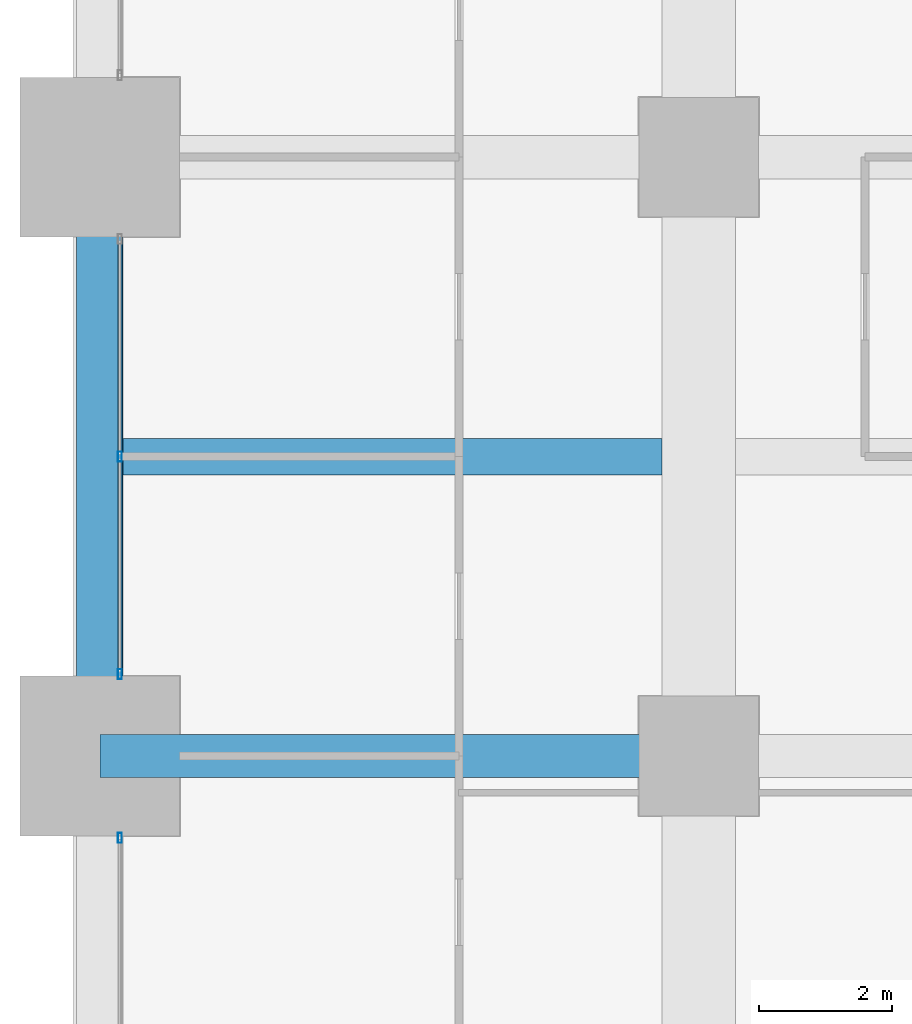
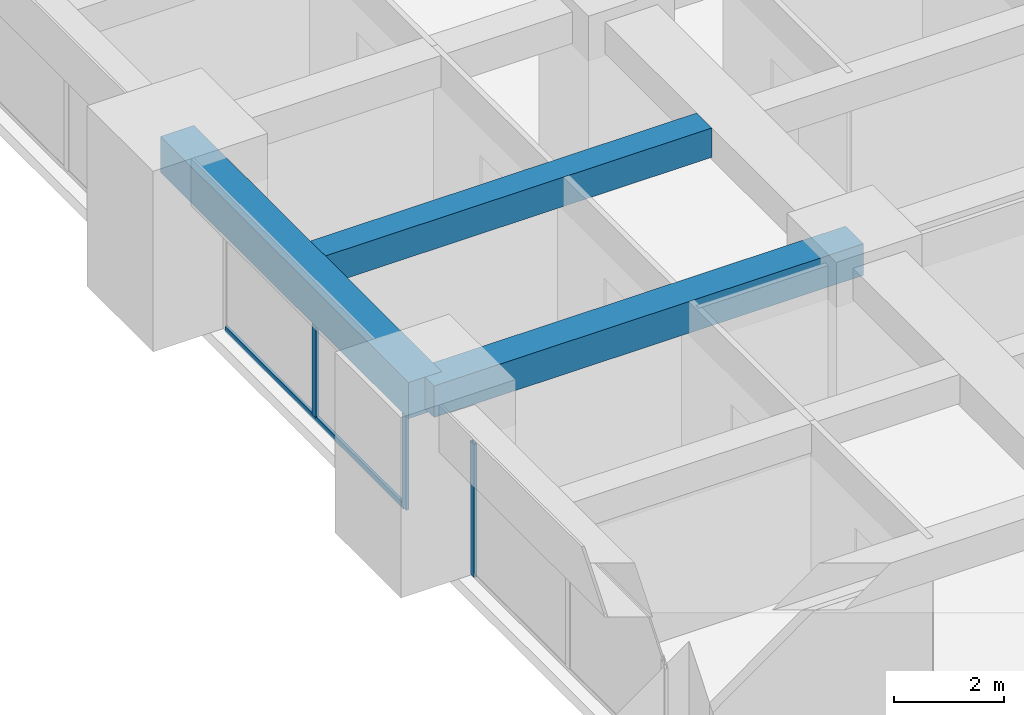
# One storey, part 9 of 41: 4 members, 3 beams, 2 elements without a shape of their own.
"""IFC4 building model written with IfcOpenShell, lengths in metres."""

from ifc_helpers import new_model, si_unit, direction, frame, origin, origin_2d, place, context, subcontext, project, spatial, rectangle, hollow_rectangle, extrude, material, material_profile, profile_set, type_object, element, aggregate, save


model = new_model("IFC4")

# Units and contexts
model_context = context("Model", 3, precision=1e-05, world=origin(), true_north=direction((0.0, 1.0)))
body_context = subcontext(model_context, "Body", "Model", "MODEL_VIEW")
ifc_project = project(units=[si_unit("LENGTHUNIT", "METRE"), si_unit("AREAUNIT", "SQUARE_METRE"), si_unit("VOLUMEUNIT", "CUBIC_METRE"), si_unit("PLANEANGLEUNIT", "RADIAN"), si_unit("MASSUNIT", "GRAM", prefix="KILO")], contexts=[model_context])

# Site, building, storey
site_placement = place(None, origin())
site = spatial("IfcSite", under=ifc_project, at=site_placement, CompositionType="ELEMENT")
building_placement = place(site_placement, origin())
building = spatial("IfcBuilding", under=site, at=building_placement, Name="Zorevar Civic Tower", CompositionType="ELEMENT")
storey_placement = place(building_placement, frame((0.0, 0.0, 137.0)))
storey = spatial("IfcBuildingStorey", under=building, at=storey_placement, Name="L33", CompositionType="ELEMENT", Elevation=137.0)

# Beams
ifc_material_1 = material(Name="Concrete C50/60", Category="concrete")
ifc_material_profile_1 = material_profile(ifc_material_1, rectangle(XDim=0.550048828125, YDim=0.64990234375, at=origin_2d()), Name="RC 550x650")
ifc_profile_set_1 = profile_set([ifc_material_profile_1], Name="Concrete C50/60")
beam_type_1 = type_object("IfcBeamType", Name="Beam RC 550x650", PredefinedType="BEAM", material=ifc_profile_set_1)
beam_1_placement = place(storey_placement, frame((0.35009765625, 22.5, 3.425048828125), z_axis=(1.0, 0.0, 0.0), x_axis=(0.0, 1.0, 0.0)))
element("IfcBeam", 1, at=beam_1_placement, inside=storey, type_object=beam_type_1, Name="Secondary beam L34", PredefinedType="BEAM", context=body_context, shape_type="SweptSolid", body=[
    extrude(rectangle(XDim=0.550048828125, YDim=0.64990234375, at=origin_2d()), origin(), (0.0, 0.0, 1.0), 8.099853515625),
])
ifc_material_2 = material(Name="Concrete C50/60", Category="concrete")
ifc_material_profile_2 = material_profile(ifc_material_2, rectangle(XDim=0.64990234375, YDim=0.699951171875, at=origin_2d()), Name="RC 650x700")
ifc_profile_set_2 = profile_set([ifc_material_profile_2], Name="Concrete C50/60")
beam_type_2 = type_object("IfcBeamType", Name="Beam RC 650x700", PredefinedType="BEAM", material=ifc_profile_set_2)
beam_2_placement = place(storey_placement, frame((0.0, 18.0, 3.39990234375), z_axis=(1.0, 0.0, 0.0), x_axis=(0.0, 1.0, 0.0)))
element("IfcBeam", 2, at=beam_2_placement, inside=storey, type_object=beam_type_2, Name="Girder L34", PredefinedType="BEAM", context=body_context, shape_type="SweptSolid", body=[
    extrude(rectangle(XDim=0.64990234375, YDim=0.699951171875, at=origin_2d()), origin(), (0.0, 0.0, 1.0), 9.0),
])

# Curtain wall, member
ifc_material_3 = material(Name="Dark grey solar-control glass in black aluminium frame", Category="aluminium")
curtain_wall_type = type_object("IfcCurtainWallType", Name="Curtain wall CW3 mid zone", PredefinedType="NOTDEFINED", material=ifc_material_3)
curtain_wall_1_placement = place(storey_placement, origin())
curtain_wall_1 = element("IfcCurtainWall", 3, at=curtain_wall_1_placement, inside=storey, type_object=curtain_wall_type, Name="CW3 L33", PredefinedType="NOTDEFINED")
ifc_material_4 = material(Name="Aluminium, black anodised", Category="aluminium")
ifc_material_profile_3 = material_profile(ifc_material_4, hollow_rectangle(XDim=0.06005859375, YDim=0.14990234375, WallThickness=0.00390625, at=origin_2d()), Name="AL 150x60x4")
ifc_profile_set_3 = profile_set([ifc_material_profile_3], Name="Aluminium, black anodised")
member_type_1 = type_object("IfcMemberType", Name="CW3 mullion AL 150x60x4", PredefinedType="MULLION", material=ifc_profile_set_3)
member_1_placement = place(storey_placement, frame((0.300048828125, 16.77001953125, 0.0), z_axis=(0.0, 0.0, 1.0), x_axis=(-1.0, 0.0, 0.0)))
member_1 = element("IfcMember", 4, at=member_1_placement, type_object=member_type_1, Name="CW3 mullion 3", PredefinedType="MULLION", context=body_context, shape_type="SweptSolid", body=[
    extrude(hollow_rectangle(XDim=0.06005859375, YDim=0.14990234375, WallThickness=0.00390625, at=origin_2d()), origin(), (0.0, 0.0, 1.0), 2.949951171875),
])
aggregate(curtain_wall_1, [member_1])

# Curtain wall, members
curtain_wall_2_placement = place(storey_placement, origin())
curtain_wall_2 = element("IfcCurtainWall", 5, at=curtain_wall_2_placement, inside=storey, type_object=curtain_wall_type, Name="CW3 L33", PredefinedType="NOTDEFINED")
member_2_placement = place(storey_placement, frame((0.300048828125, 19.22998046875, 0.0), z_axis=(0.0, 0.0, 1.0), x_axis=(-1.0, 0.0, 0.0)))
member_2 = element("IfcMember", 6, at=member_2_placement, type_object=member_type_1, Name="CW3 mullion 1", PredefinedType="MULLION", context=body_context, shape_type="SweptSolid", body=[
    extrude(hollow_rectangle(XDim=0.06005859375, YDim=0.14990234375, WallThickness=0.00390625, at=origin_2d()), origin(), (0.0, 0.0, 1.0), 2.949951171875),
])
member_3_placement = place(storey_placement, frame((0.300048828125, 22.5, 0.06005859375), z_axis=(0.0, 0.0, 1.0), x_axis=(-1.0, 0.0, 0.0)))
member_3 = element("IfcMember", 7, at=member_3_placement, type_object=member_type_1, Name="CW3 mullion 2", PredefinedType="MULLION", context=body_context, shape_type="SweptSolid", body=[
    extrude(hollow_rectangle(XDim=0.06005859375, YDim=0.14990234375, WallThickness=0.00390625, at=origin_2d()), origin(), (0.0, 0.0, 1.0), 2.889892578125),
])
ifc_material_5 = material(Name="Aluminium, black anodised", Category="aluminium")
ifc_material_profile_4 = material_profile(ifc_material_5, hollow_rectangle(XDim=0.06005859375, YDim=0.1201171875, WallThickness=0.0029296875, at=origin_2d()), Name="AL 120x60x3")
ifc_profile_set_4 = profile_set([ifc_material_profile_4], Name="Aluminium, black anodised")
member_type_2 = type_object("IfcMemberType", Name="CW3 transom AL 120x60x3", PredefinedType="USERDEFINED", material=ifc_profile_set_4)
member_4_placement = place(storey_placement, frame((0.300048828125, 19.260009765625, 0.030029296875), z_axis=(0.0, 1.0, 0.0), x_axis=(-1.0, 0.0, 0.0)))
member_4 = element("IfcMember", 8, at=member_4_placement, type_object=member_type_2, Name="CW3 sill transom", ObjectType="TRANSOM", PredefinedType="USERDEFINED", context=body_context, shape_type="SweptSolid", body=[
    extrude(hollow_rectangle(XDim=0.06005859375, YDim=0.1201171875, WallThickness=0.0029296875, at=origin_2d()), origin(), (0.0, 0.0, 1.0), 6.47998046875),
])
aggregate(curtain_wall_2, [member_2, member_3, member_4])

# Beam
ifc_material_6 = material(Name="Concrete C50/60", Category="concrete")
ifc_material_profile_5 = material_profile(ifc_material_6, rectangle(XDim=0.699951171875, YDim=0.800048828125, at=origin_2d()), Name="RC 700x800")
ifc_profile_set_5 = profile_set([ifc_material_profile_5], Name="Concrete C50/60")
beam_type_3 = type_object("IfcBeamType", Name="Edge beam RC 700x800", PredefinedType="SPANDREL", material=ifc_profile_set_5)
beam_3_placement = place(storey_placement, frame((0.0, 18.0, 3.35009765625), z_axis=(0.0, 1.0, 0.0), x_axis=(-1.0, 0.0, 0.0)))
element("IfcBeam", 9, at=beam_3_placement, inside=storey, type_object=beam_type_3, Name="Edge beam L34", PredefinedType="SPANDREL", context=body_context, shape_type="SweptSolid", body=[
    extrude(rectangle(XDim=0.699951171875, YDim=0.800048828125, at=origin_2d()), origin(), (0.0, 0.0, 1.0), 9.0),
])

save(model, "model.ifc")
